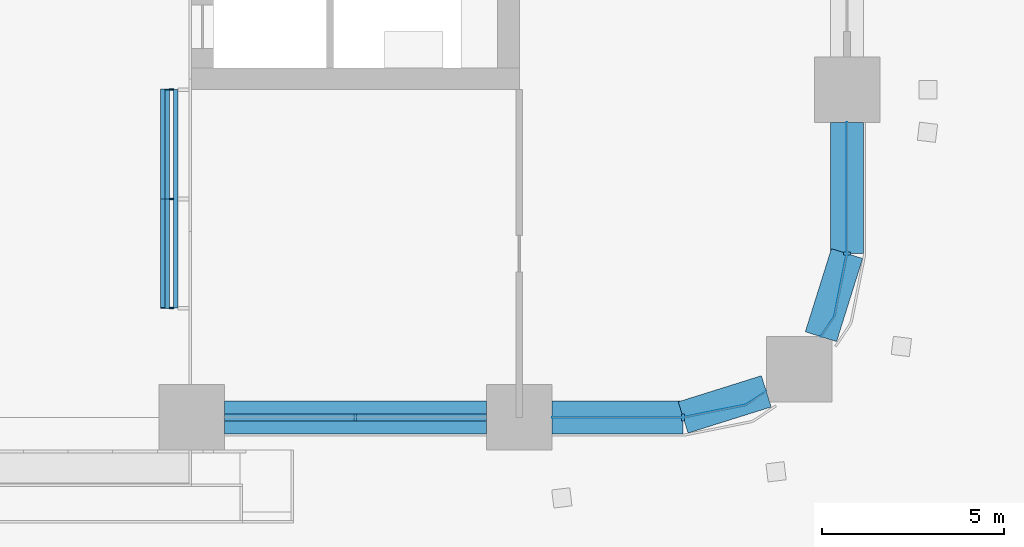
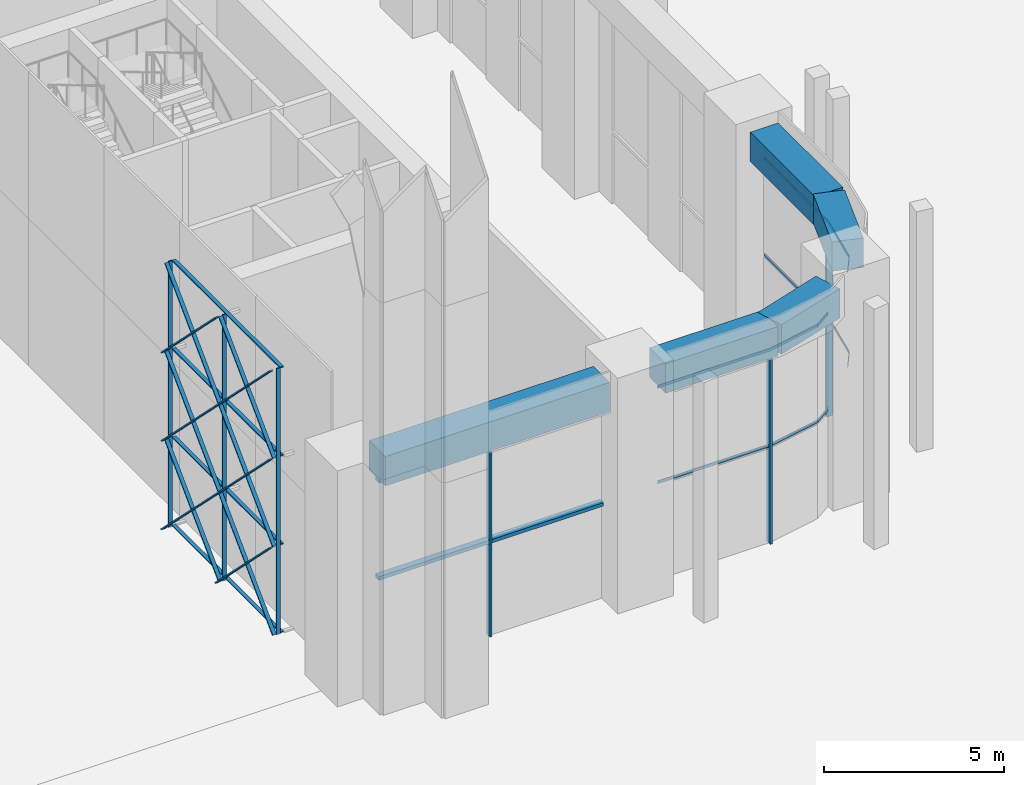
# One storey, part 14 of 64: 24 members, 5 beams, 3 elements without a shape of their own.
"""IFC4 building model written with IfcOpenShell, lengths in metres."""

import ifcopenshell
import ifcopenshell.guid

model = None  # the IFC model being written
_history = None  # IfcOwnerHistory: only IFC2X3 demands one
_inside = {}  # id of a spatial element -> (the spatial element, [elements in it])
_under = {}  # id of a project, library or spatial element -> (it, [spatial elements below it])
_declared = {}  # id of a project -> (the project, [libraries it declares])
_typed = {}  # id of a type object -> (the type object, [elements of that type])
_made_of = {}  # id of a material, layer set ... -> (it, [elements and type objects made of it])


def new_model(schema):
    """Start an empty IFC model of exactly this schema.

    Asked for "IFC4X3", IfcOpenShell would pick the latest addendum, in which some entities
    have other attributes; the version numbers below select the first issue.
    IFC2X3 requires an IfcOwnerHistory on every rooted entity: one is made here for all.
    """
    global model, _history
    if schema == "IFC4X3":
        model = ifcopenshell.file(schema_version=(4, 3, 0, 0))
    else:
        model = ifcopenshell.file(schema=schema)
    _inside.clear()
    _under.clear()
    _declared.clear()
    _typed.clear()
    _made_of.clear()
    _history = None
    if model.schema == "IFC2X3":
        org = make("IfcOrganization", Name="unknown")
        user = make(
            "IfcPersonAndOrganization",
            ThePerson=make("IfcPerson", FamilyName="unknown"),
            TheOrganization=org,
        )
        app = make(
            "IfcApplication",
            ApplicationDeveloper=org,
            Version="unknown",
            ApplicationFullName="unknown",
            ApplicationIdentifier="unknown",
        )
        _history = make(
            "IfcOwnerHistory",
            OwningUser=user,
            OwningApplication=app,
            ChangeAction="ADDED",
            CreationDate=0,
        )
    return model


def make(cls, **values):
    """One entity of the class cls with the attributes given. An attribute that is None is left unset."""
    return model.create_entity(
        cls, **{name: value for name, value in values.items() if value is not None}
    )


def rooted(cls, **values):
    """An entity with a GlobalId (a new one), such as an element, a storey or a relation."""
    return make(cls, GlobalId=ifcopenshell.guid.new(), OwnerHistory=_history, **values)


def si_unit(unit_type, name, prefix=None):
    """IfcSIUnit, for example si_unit("LENGTHUNIT", "METRE", prefix="MILLI")."""
    return make("IfcSIUnit", UnitType=unit_type, Prefix=prefix, Name=name)


def assignment(units):
    """IfcUnitAssignment: the units of a project."""
    return None if units is None else make("IfcUnitAssignment", Units=units)


def point(xyz):
    """IfcCartesianPoint."""
    return None if xyz is None else make("IfcCartesianPoint", Coordinates=xyz)


def direction(xyz):
    """IfcDirection."""
    return None if xyz is None else make("IfcDirection", DirectionRatios=xyz)


def frame(location, z_axis=None, x_axis=None):
    """IfcAxis2Placement3D, a coordinate frame: its origin and axes. An axis left out is left unset."""
    return make(
        "IfcAxis2Placement3D",
        Location=point(location),
        Axis=direction(z_axis),
        RefDirection=direction(x_axis),
    )


def frame_2d(location, x_axis=None):
    """IfcAxis2Placement2D, a coordinate frame in the plane: its origin and x axis."""
    return make(
        "IfcAxis2Placement2D", Location=point(location), RefDirection=direction(x_axis)
    )


def origin():
    """The frame at (0, 0, 0) with its axes left unset."""
    return frame((0.0, 0.0, 0.0))


def origin_2d():
    """The frame at (0, 0) in the plane with its x axis left unset."""
    return frame_2d((0.0, 0.0))


def place(relative_to, where):
    """IfcLocalPlacement: puts the frame where relative to a parent placement (None: the world)."""
    return make(
        "IfcLocalPlacement", PlacementRelTo=relative_to, RelativePlacement=where
    )


def context(
    kind, dimensions, precision=None, world=None, true_north=None, identifier=None
):
    """IfcGeometricRepresentationContext, for example the 3D "Model" context."""
    return make(
        "IfcGeometricRepresentationContext",
        ContextIdentifier=identifier,
        ContextType=kind,
        CoordinateSpaceDimension=dimensions,
        Precision=precision,
        WorldCoordinateSystem=world,
        TrueNorth=true_north,
    )


def subcontext(parent, identifier, kind, view, scale=None):
    """IfcGeometricRepresentationSubContext, for example "Body" below "Model"."""
    return make(
        "IfcGeometricRepresentationSubContext",
        ContextIdentifier=identifier,
        ContextType=kind,
        ParentContext=parent,
        TargetScale=scale,
        TargetView=view,
    )


def project(units=None, contexts=None):
    """IfcProject with its units and contexts."""
    return rooted(
        "IfcProject",
        Name="project",
        RepresentationContexts=contexts,
        UnitsInContext=assignment(units),
    )


def spatial(cls, under=None, at=None, **own):
    """A site, building, storey or space (cls), placed at a placement, below another one or the project."""
    s = rooted(cls, ObjectPlacement=at, **own)
    if under is not None:
        _under.setdefault(under.id(), (under, []))[1].append(s)
    return s


def polyline(points):
    """IfcPolyline through the points."""
    return make("IfcPolyline", Points=[point(p) for p in points])


def profile(cls, at=None, kind="AREA", **sizes):
    """A parametric profile (cls). Its sizes go by their IFC names, for example OverallWidth=200.0."""
    return make(cls, ProfileType=kind, Position=at, **sizes)


def rectangle(**sizes):
    """IfcRectangleProfileDef."""
    return profile("IfcRectangleProfileDef", **sizes)


def outline(outer, holes=None, kind="AREA"):
    """IfcArbitraryClosedProfileDef: a profile drawn as a closed curve; with holes, ...WithVoids."""
    if holes is None:
        return make("IfcArbitraryClosedProfileDef", ProfileType=kind, OuterCurve=outer)
    return make(
        "IfcArbitraryProfileDefWithVoids",
        ProfileType=kind,
        OuterCurve=outer,
        InnerCurves=holes,
    )


def extrude(swept, where, along, depth):
    """IfcExtrudedAreaSolid: the profile swept, set in the frame where, extruded along a direction by depth."""
    return make(
        "IfcExtrudedAreaSolid",
        SweptArea=swept,
        Position=where,
        ExtrudedDirection=direction(along),
        Depth=depth,
    )


def shape(context_of_items, identifier, shape_type, items):
    """IfcShapeRepresentation: the items that make up one representation, for example the "Body"."""
    return make(
        "IfcShapeRepresentation",
        ContextOfItems=context_of_items,
        RepresentationIdentifier=identifier,
        RepresentationType=shape_type,
        Items=items,
    )


def material(Name=None, Category=None):
    """IfcMaterial."""
    return make("IfcMaterial", Name=Name, Category=Category)


def material_profile(
    of_material, cross_section, Name=None, Category=None, Priority=None
):
    """IfcMaterialProfile: a cross section and its material."""
    return make(
        "IfcMaterialProfile",
        Name=Name,
        Material=of_material,
        Profile=cross_section,
        Priority=Priority,
        Category=Category,
    )


def profile_set(profiles, Name=None, composite=None):
    """IfcMaterialProfileSet."""
    return make(
        "IfcMaterialProfileSet",
        Name=Name,
        MaterialProfiles=profiles,
        CompositeProfile=composite,
    )


def made_of(thing, what):
    """Note that an element or type object is made of a material, layer set ...; save() writes the relation."""
    if what is not None:
        _made_of.setdefault(what.id(), (what, []))[1].append(thing)
    return thing


def type_object(cls, material=None, **own):
    """A type object (cls), such as IfcWallType, which elements share."""
    return made_of(rooted(cls, **own), material)


def element(
    cls,
    number,
    at=None,
    inside=None,
    cuts=None,
    type_object=None,
    material=None,
    context=None,
    identifier="Body",
    shape_type=None,
    held_by="IfcProductDefinitionShape",
    body=None,
    shapes=None,
    **own,
):
    """One element of the class cls, such as IfcWall. Its Tag is "e" and its number.

    at: its placement. inside: the storey or other place that contains it. cuts: it is an
    opening in that element (IfcRelVoidsElement). A single representation is given by context,
    identifier, shape_type and body (its items); several are given by shapes. held_by: the class
    of the entity that holds the representations. save() writes the other relations.
    """
    e = rooted(cls, Tag="e%d" % number, ObjectPlacement=at, **own)
    if body is not None:
        shapes = [shape(context, identifier, shape_type, body)]
    if shapes is not None:
        e.Representation = make(held_by, Representations=shapes)
    if inside is not None:
        _inside.setdefault(inside.id(), (inside, []))[1].append(e)
    if cuts is not None:
        rooted(
            "IfcRelVoidsElement", RelatingBuildingElement=cuts, RelatedOpeningElement=e
        )
    if type_object is not None:
        _typed.setdefault(type_object.id(), (type_object, []))[1].append(e)
    return made_of(e, material)


def aggregate(whole, parts):
    """IfcRelAggregates: a whole, such as a stair, and the parts it consists of."""
    return rooted("IfcRelAggregates", RelatingObject=whole, RelatedObjects=parts)


def save(model, path):
    """Write the relations noted so far, then the file.

    IfcRelAggregates (storeys below a building ...), IfcRelContainedInSpatialStructure (elements
    in a storey), IfcRelDefinesByType, IfcRelAssociatesMaterial and IfcRelDeclares: one each for
    every whole, place, type object, material and project.
    """
    for whole, parts in _under.values():
        aggregate(whole, parts)
    for where, things in _inside.values():
        rooted(
            "IfcRelContainedInSpatialStructure",
            RelatedElements=things,
            RelatingStructure=where,
        )
    for kind, things in _typed.values():
        rooted("IfcRelDefinesByType", RelatedObjects=things, RelatingType=kind)
    for what, things in _made_of.values():
        rooted("IfcRelAssociatesMaterial", RelatedObjects=things, RelatingMaterial=what)
    for by, libraries in _declared.values():
        rooted("IfcRelDeclares", RelatingContext=by, RelatedDefinitions=libraries)
    model.write(path)


model = new_model("IFC4")

# Units and contexts
model_context = context("Model", 3, precision=1e-05, world=origin(), true_north=direction((0.0, 1.0)))
body_context = subcontext(model_context, "Body", "Model", "MODEL_VIEW")
ifc_project = project(units=[si_unit("LENGTHUNIT", "METRE"), si_unit("AREAUNIT", "SQUARE_METRE"), si_unit("VOLUMEUNIT", "CUBIC_METRE"), si_unit("PLANEANGLEUNIT", "RADIAN"), si_unit("MASSUNIT", "GRAM", prefix="KILO")], contexts=[model_context])

# Site, building, storey
site_placement = place(None, origin())
site = spatial("IfcSite", under=ifc_project, at=site_placement, CompositionType="ELEMENT")
building_placement = place(site_placement, origin())
building = spatial("IfcBuilding", under=site, at=building_placement, Name="Tessera Arch", CompositionType="ELEMENT")
storey_placement = place(building_placement, origin())
storey = spatial("IfcBuildingStorey", under=building, at=storey_placement, Name="L00", CompositionType="ELEMENT", Elevation=0.0)

# Curtain wall, member
ifc_material_1 = material(Name="CW2 curtain wall")
curtain_wall_type_1 = type_object("IfcCurtainWallType", Name="CW2 curtain wall", PredefinedType="NOTDEFINED", material=ifc_material_1)
curtain_wall_1_placement = place(storey_placement, origin())
curtain_wall_1 = element("IfcCurtainWall", 1, at=curtain_wall_1_placement, inside=storey, type_object=curtain_wall_type_1, Name="CW2 curtain wall S0.36/1 L00", PredefinedType="NOTDEFINED")
ifc_material_2 = material(Name="Anodised aluminium pale metal", Category="aluminium")
ifc_material_profile_1 = material_profile(ifc_material_2, rectangle(XDim=0.199951171875, YDim=0.080078125, at=origin_2d()), Name="AL 80x200")
ifc_profile_set_1 = profile_set([ifc_material_profile_1], Name="Anodised aluminium pale metal")
member_type_1 = type_object("IfcMemberType", Name="CW2 mullion", PredefinedType="MULLION", material=ifc_profile_set_1)
member_1_placement = place(storey_placement, frame((49.5, 0.0, 0.0), z_axis=(0.0, 0.0, 1.0), x_axis=(0.0, 1.0, 0.0)))
member_1 = element("IfcMember", 2, at=member_1_placement, type_object=member_type_1, Name="CW2 mullion S0.36/1 1", PredefinedType="MULLION", context=body_context, shape_type="SweptSolid", body=[
    extrude(rectangle(XDim=0.199951171875, YDim=0.080078125, at=origin_2d()), origin(), (0.0, 0.0, 1.0), 6.489990234375),
])

curtain_wall_2_placement = place(storey_placement, origin())
curtain_wall_2 = element("IfcCurtainWall", 3, at=curtain_wall_2_placement, inside=storey, type_object=curtain_wall_type_1, Name="CW2 curtain wall E54.0/5 L00", PredefinedType="NOTDEFINED")
member_2_placement = place(storey_placement, frame((54.0, 4.5, 0.0), z_axis=(0.0, 0.0, 1.0), x_axis=(-1.0, 0.0, 0.0)))
member_2 = element("IfcMember", 4, at=member_2_placement, type_object=member_type_1, Name="CW2 mullion E54.0/5 1", PredefinedType="MULLION", context=body_context, shape_type="SweptSolid", body=[
    extrude(rectangle(XDim=0.199951171875, YDim=0.080078125, at=origin_2d()), origin(), (0.0, 0.0, 1.0), 6.489990234375),
])

# Member
ifc_material_3 = material(Name="Anodised aluminium pale metal", Category="aluminium")
ifc_material_profile_2 = material_profile(ifc_material_3, rectangle(XDim=0.199951171875, YDim=0.10009765625, at=origin_2d()), Name="AL 200x100")
ifc_profile_set_2 = profile_set([ifc_material_profile_2], Name="Anodised aluminium pale metal")
member_type_2 = type_object("IfcMemberType", Name="CW2 transom", PredefinedType="USERDEFINED", material=ifc_profile_set_2)
member_3_placement = place(storey_placement, frame((0.0, 0.0, 3.2451171875)))
member_3 = element("IfcMember", 5, at=member_3_placement, type_object=member_type_2, Name="CW2 transom S0.36/1 1", ObjectType="TRANSOM", PredefinedType="USERDEFINED", context=body_context, shape_type="SweptSolid", body=[
    extrude(outline(polyline([(49.4990234375, 0.010009765625), (45.89990234375, 0.010009765625), (45.89990234375, -0.010009765625), (49.5009765625, -0.010009765625), (51.22607421875, 0.3330078125), (51.78759765625, 0.70849609375), (51.7763671875, 0.72509765625), (51.21826171875, 0.351806640625), (49.4990234375, 0.010009765625)])), origin(), (0.0, 0.0, 1.0), 0.099853515625),
])

member_4_placement = place(storey_placement, frame((0.0, 0.0, 6.489990234375)))
member_4 = element("IfcMember", 6, at=member_4_placement, type_object=member_type_2, Name="CW2 transom S0.36/1 2", ObjectType="TRANSOM", PredefinedType="USERDEFINED", context=body_context, shape_type="SweptSolid", body=[
    extrude(outline(polyline([(49.4990234375, 0.010009765625), (45.89990234375, 0.010009765625), (45.89990234375, -0.010009765625), (49.5009765625, -0.010009765625), (51.22607421875, 0.3330078125), (51.78759765625, 0.70849609375), (51.7763671875, 0.72509765625), (51.21826171875, 0.351806640625), (49.4990234375, 0.010009765625)])), origin(), (0.0, 0.0, 1.0), 0.10009765625),
])

aggregate(curtain_wall_1, [member_1, member_3, member_4])

member_5_placement = place(storey_placement, frame((0.0, 0.0, 3.2451171875)))
member_5 = element("IfcMember", 7, at=member_5_placement, type_object=member_type_2, Name="CW2 transom E54.0/5 1", ObjectType="TRANSOM", PredefinedType="USERDEFINED", context=body_context, shape_type="SweptSolid", body=[
    extrude(outline(polyline([(53.648193359375, 2.78173828125), (53.27490234375, 2.2236328125), (53.29150390625, 2.21240234375), (53.6669921875, 2.77392578125), (54.010009765625, 4.4990234375), (54.010009765625, 8.10009765625), (53.989990234375, 8.10009765625), (53.989990234375, 4.5009765625), (53.648193359375, 2.78173828125)])), origin(), (0.0, 0.0, 1.0), 0.099853515625),
])

member_6_placement = place(storey_placement, frame((0.0, 0.0, 6.489990234375)))
member_6 = element("IfcMember", 8, at=member_6_placement, type_object=member_type_2, Name="CW2 transom E54.0/5 2", ObjectType="TRANSOM", PredefinedType="USERDEFINED", context=body_context, shape_type="SweptSolid", body=[
    extrude(outline(polyline([(53.648193359375, 2.78173828125), (53.27490234375, 2.2236328125), (53.29150390625, 2.21240234375), (53.6669921875, 2.77392578125), (54.010009765625, 4.4990234375), (54.010009765625, 8.10009765625), (53.989990234375, 8.10009765625), (53.989990234375, 4.5009765625), (53.648193359375, 2.78173828125)])), origin(), (0.0, 0.0, 1.0), 0.10009765625),
])

aggregate(curtain_wall_2, [member_2, member_5, member_6])

# Curtain wall, members
ifc_material_4 = material(Name="CW6 curtain wall")
curtain_wall_type_2 = type_object("IfcCurtainWallType", Name="CW6 curtain wall", PredefinedType="NOTDEFINED", material=ifc_material_4)
curtain_wall_3_placement = place(storey_placement, origin())
curtain_wall_3 = element("IfcCurtainWall", 9, at=curtain_wall_3_placement, inside=storey, type_object=curtain_wall_type_2, Name="CW6 curtain wall S0.36/0 L00", PredefinedType="NOTDEFINED")
ifc_material_5 = material(Name="Anodised aluminium pale metal", Category="aluminium")
ifc_material_profile_3 = material_profile(ifc_material_5, rectangle(XDim=0.199951171875, YDim=0.070068359375, at=origin_2d()), Name="AL 70x200")
ifc_profile_set_3 = profile_set([ifc_material_profile_3], Name="Anodised aluminium pale metal")
member_type_3 = type_object("IfcMemberType", Name="CW6 mullion", PredefinedType="MULLION", material=ifc_profile_set_3)
member_7_placement = place(storey_placement, frame((40.5, 0.0, 0.0), z_axis=(0.0, 0.0, 1.0), x_axis=(0.0, 1.0, 0.0)))
member_7 = element("IfcMember", 10, at=member_7_placement, type_object=member_type_3, Name="CW6 mullion S0.36/0 1", PredefinedType="MULLION", context=body_context, shape_type="SweptSolid", body=[
    extrude(rectangle(XDim=0.199951171875, YDim=0.070068359375, at=origin_2d()), origin(), (0.0, 0.0, 1.0), 6.469970703125),
])
ifc_material_6 = material(Name="Anodised aluminium pale metal", Category="aluminium")
ifc_material_profile_4 = material_profile(ifc_material_6, rectangle(XDim=0.199951171875, YDim=0.1201171875, at=origin_2d()), Name="AL 200x120")
ifc_profile_set_4 = profile_set([ifc_material_profile_4], Name="Anodised aluminium pale metal")
member_type_4 = type_object("IfcMemberType", Name="CW6 transom", PredefinedType="USERDEFINED", material=ifc_profile_set_4)
member_8_placement = place(storey_placement, frame((36.89990234375, 0.0, 6.530029296875), z_axis=(1.0, 0.0, 0.0), x_axis=(0.0, 1.0, 0.0)))
member_8 = element("IfcMember", 11, at=member_8_placement, type_object=member_type_4, Name="CW6 transom S0.36/0 1.1", ObjectType="TRANSOM", PredefinedType="USERDEFINED", context=body_context, shape_type="SweptSolid", body=[
    extrude(rectangle(XDim=0.199951171875, YDim=0.1201171875, at=origin_2d()), origin(), (0.0, 0.0, 1.0), 7.2001953125),
])
member_9_placement = place(storey_placement, frame((36.89990234375, 0.0, 3.235107421875), z_axis=(1.0, 0.0, 0.0), x_axis=(0.0, 1.0, 0.0)))
member_9 = element("IfcMember", 12, at=member_9_placement, type_object=member_type_4, Name="CW6 transom S0.36/0 2.1", ObjectType="TRANSOM", PredefinedType="USERDEFINED", context=body_context, shape_type="SweptSolid", body=[
    extrude(rectangle(XDim=0.199951171875, YDim=0.1201171875, at=origin_2d()), origin(), (0.0, 0.0, 1.0), 7.2001953125),
])
aggregate(curtain_wall_3, [member_7, member_8, member_9])

# Members
ifc_material_7 = material(Name="Anodised aluminium gold", Category="aluminium")
ifc_material_profile_5 = material_profile(ifc_material_7, rectangle(XDim=0.1201171875, YDim=0.0400390625, at=origin_2d()), Name="AL 40x120")
ifc_profile_set_5 = profile_set([ifc_material_profile_5], Name="Anodised aluminium gold")
member_type_5 = type_object("IfcMemberType", Name="Mashrabiya lattice blade", PredefinedType="USERDEFINED", material=ifc_profile_set_5)
for number, where, z_axis, x_axis, name in (
    (13, (35.570068359375, 3.0, 0.0), (0.0, 1.0, 0.0), (-1.0, 0.0, 0.0), "Lattice blade horizontal"),
    (14, (35.570068359375, 3.0, 3.0), (0.0, 1.0, 0.0), (-1.0, 0.0, 0.0), "Lattice blade horizontal"),
    (15, (35.570068359375, 3.0, 6.0), (0.0, 1.0, 0.0), (-1.0, 0.0, 0.0), "Lattice blade horizontal"),
    (16, (35.570068359375, 3.0, 9.0), (0.0, 1.0, 0.0), (-1.0, 0.0, 0.0), "Lattice blade horizontal"),
):
    element("IfcMember", number, at=place(storey_placement, frame(where, z_axis=z_axis, x_axis=x_axis)), inside=storey, type_object=member_type_5, Name=name, ObjectType="FIN", PredefinedType="USERDEFINED", context=body_context, shape_type="SweptSolid", body=[
        extrude(rectangle(XDim=0.1201171875, YDim=0.0400390625, at=origin_2d()), origin(), (0.0, 0.0, 1.0), 6.0),
    ])
for number, where, z_axis, x_axis, name in (
    (17, (35.449951171875, 3.0, -0.02001953125), (0.0, 0.0, 1.0), (-1.0, 0.0, 0.0), "Lattice blade vertical"),
    (18, (35.449951171875, 6.0, -0.02001953125), (0.0, 0.0, 1.0), (-1.0, 0.0, 0.0), "Lattice blade vertical"),
    (19, (35.449951171875, 9.0, -0.02001953125), (0.0, 0.0, 1.0), (-1.0, 0.0, 0.0), "Lattice blade vertical"),
):
    element("IfcMember", number, at=place(storey_placement, frame(where, z_axis=z_axis, x_axis=x_axis)), inside=storey, type_object=member_type_5, Name=name, ObjectType="FIN", PredefinedType="USERDEFINED", context=body_context, shape_type="SweptSolid", body=[
        extrude(rectangle(XDim=0.1201171875, YDim=0.0400390625, at=origin_2d()), origin(), (0.0, 0.0, 1.0), 9.0400390625),
    ])
member_10_placement = place(storey_placement, frame((35.330078125, 3.0, 6.0), z_axis=(0.0, 0.707106781187, 0.707106781187), x_axis=(-1.0, 0.0, 0.0)))
element("IfcMember", 20, at=member_10_placement, inside=storey, type_object=member_type_5, Name="Lattice blade diagonal", ObjectType="FIN", PredefinedType="USERDEFINED", context=body_context, shape_type="SweptSolid", body=[
    extrude(rectangle(XDim=0.1201171875, YDim=0.0400390625, at=origin_2d()), origin(), (0.0, 0.0, 1.0), 4.24267578125),
])
for number, where, z_axis, x_axis, name in (
    (21, (35.330078125, 3.0, 3.0), (0.0, 0.707106781187, 0.707106781187), (-1.0, 0.0, 0.0), "Lattice blade diagonal"),
    (22, (35.330078125, 3.0, 0.0), (0.0, 0.707106781187, 0.707106781187), (-1.0, 0.0, 0.0), "Lattice blade diagonal"),
):
    element("IfcMember", number, at=place(storey_placement, frame(where, z_axis=z_axis, x_axis=x_axis)), inside=storey, type_object=member_type_5, Name=name, ObjectType="FIN", PredefinedType="USERDEFINED", context=body_context, shape_type="SweptSolid", body=[
        extrude(rectangle(XDim=0.1201171875, YDim=0.0400390625, at=origin_2d()), origin(), (0.0, 0.0, 1.0), 8.4853515625),
    ])
for number, where, z_axis, x_axis, name in (
    (23, (35.330078125, 6.0, 0.0), (0.0, 0.707106781187, 0.707106781187), (-1.0, 0.0, 0.0), "Lattice blade diagonal"),
    (24, (35.2099609375, 3.0, 3.0), (0.0, 0.707106781187, -0.707106781187), (-1.0, 0.0, 0.0), "Lattice blade diagonal"),
):
    element("IfcMember", number, at=place(storey_placement, frame(where, z_axis=z_axis, x_axis=x_axis)), inside=storey, type_object=member_type_5, Name=name, ObjectType="FIN", PredefinedType="USERDEFINED", context=body_context, shape_type="SweptSolid", body=[
        extrude(rectangle(XDim=0.1201171875, YDim=0.0400390625, at=origin_2d()), origin(), (0.0, 0.0, 1.0), 4.24267578125),
    ])
for number, where, z_axis, x_axis, name in (
    (25, (35.2099609375, 3.0, 6.0), (0.0, 0.707106781187, -0.707106781187), (-1.0, 0.0, 0.0), "Lattice blade diagonal"),
    (26, (35.2099609375, 3.0, 9.0), (0.0, 0.707106781187, -0.707106781187), (-1.0, 0.0, 0.0), "Lattice blade diagonal"),
):
    element("IfcMember", number, at=place(storey_placement, frame(where, z_axis=z_axis, x_axis=x_axis)), inside=storey, type_object=member_type_5, Name=name, ObjectType="FIN", PredefinedType="USERDEFINED", context=body_context, shape_type="SweptSolid", body=[
        extrude(rectangle(XDim=0.1201171875, YDim=0.0400390625, at=origin_2d()), origin(), (0.0, 0.0, 1.0), 8.4853515625),
    ])
member_11_placement = place(storey_placement, frame((35.2099609375, 6.0, 9.0), z_axis=(0.0, 0.707106781187, -0.707106781187), x_axis=(-1.0, 0.0, 0.0)))
element("IfcMember", 27, at=member_11_placement, inside=storey, type_object=member_type_5, Name="Lattice blade diagonal", ObjectType="FIN", PredefinedType="USERDEFINED", context=body_context, shape_type="SweptSolid", body=[
    extrude(rectangle(XDim=0.1201171875, YDim=0.0400390625, at=origin_2d()), origin(), (0.0, 0.0, 1.0), 4.24267578125),
])

# Beams
ifc_material_8 = material(Name="Concrete C80/95", Category="concrete")
ifc_material_profile_6 = material_profile(ifc_material_8, rectangle(XDim=0.89990234375, YDim=1.0, at=origin_2d()), Name="RC spandrel beam 900 x 1000 Concrete C80/95")
ifc_profile_set_6 = profile_set([ifc_material_profile_6], Name="Concrete C80/95")
beam_type = type_object("IfcBeamType", Name="RC spandrel beam 900 x 1000 Concrete C80/95", PredefinedType="BEAM", material=ifc_profile_set_6)
beam_1_placement = place(storey_placement, frame((36.89990234375, 0.0, 7.090087890625), z_axis=(1.0, 0.0, 0.0), x_axis=(0.0, 1.0, 0.0)))
element("IfcBeam", 28, at=beam_1_placement, inside=storey, type_object=beam_type, Name="Spandrel beam L00 S0.36/0", PredefinedType="BEAM", context=body_context, shape_type="SweptSolid", body=[
    extrude(rectangle(XDim=0.89990234375, YDim=1.0, at=origin_2d()), origin(), (0.0, 0.0, 1.0), 7.2001953125),
])
beam_2_placement = place(storey_placement, frame((45.89990234375, 0.0, 7.090087890625), z_axis=(1.0, 0.0, 0.0), x_axis=(0.0, 1.0, 0.0)))
element("IfcBeam", 29, at=beam_2_placement, inside=storey, type_object=beam_type, Name="Spandrel beam L00 S0.36/1.1", PredefinedType="BEAM", context=body_context, shape_type="SweptSolid", body=[
    extrude(rectangle(XDim=0.89990234375, YDim=1.0, at=origin_2d()), origin(), (0.0, 0.0, 1.0), 3.60009765625),
])
for number, where, z_axis, x_axis, name in (
    (30, (49.5, 0.0, 7.090087890625), (0.954041251279, 0.299675309057, 0.0), (-0.299675309057, 0.954041251279, 0.0), "Spandrel beam L00 S0.36/1.2"),
    (31, (53.283203125, 2.218017578125, 7.090087890625), (0.299675309057, 0.954041251279, 0.0), (-0.954041251279, 0.299675309057, 0.0), "Spandrel beam L00 E54.0/5.1"),
):
    element("IfcBeam", number, at=place(storey_placement, frame(where, z_axis=z_axis, x_axis=x_axis)), inside=storey, type_object=beam_type, Name=name, PredefinedType="BEAM", context=body_context, shape_type="SweptSolid", body=[
        extrude(rectangle(XDim=0.89990234375, YDim=1.0, at=origin_2d()), origin(), (0.0, 0.0, 1.0), 2.391845703125),
    ])
beam_3_placement = place(storey_placement, frame((54.0, 4.5, 7.090087890625), z_axis=(0.0, 1.0, 0.0), x_axis=(-1.0, 0.0, 0.0)))
element("IfcBeam", 32, at=beam_3_placement, inside=storey, type_object=beam_type, Name="Spandrel beam L00 E54.0/5.2", PredefinedType="BEAM", context=body_context, shape_type="SweptSolid", body=[
    extrude(rectangle(XDim=0.89990234375, YDim=1.0, at=origin_2d()), origin(), (0.0, 0.0, 1.0), 3.60009765625),
])

save(model, "model.ifc")
